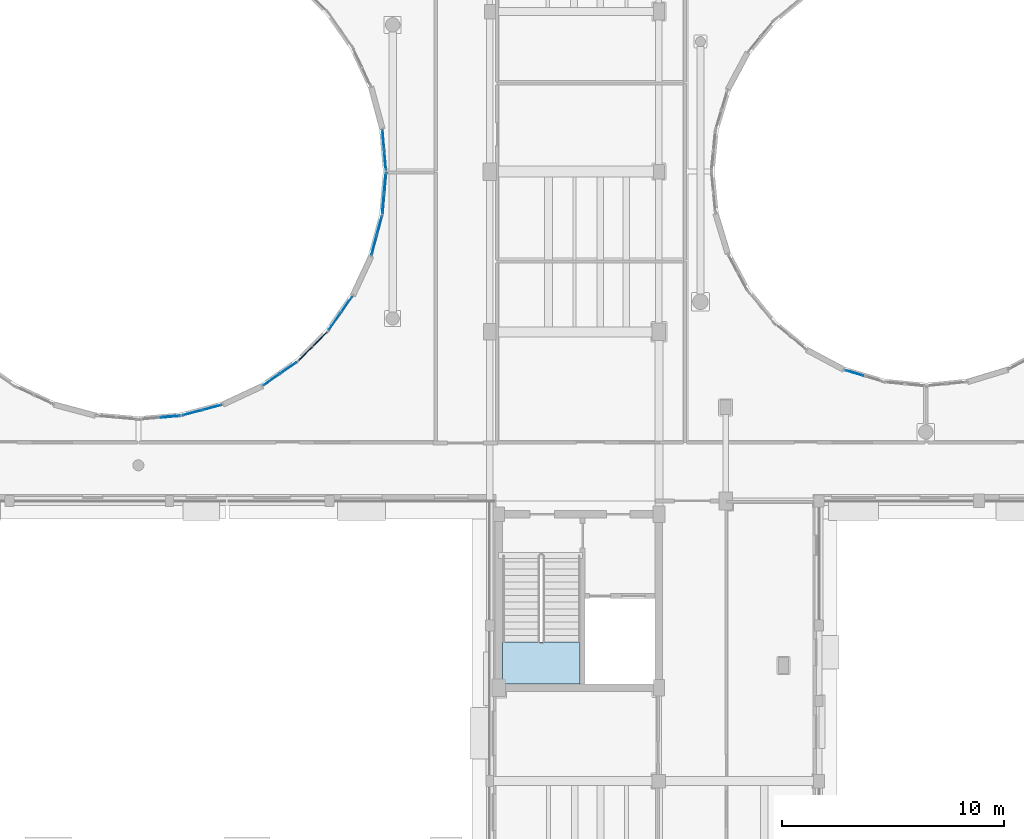
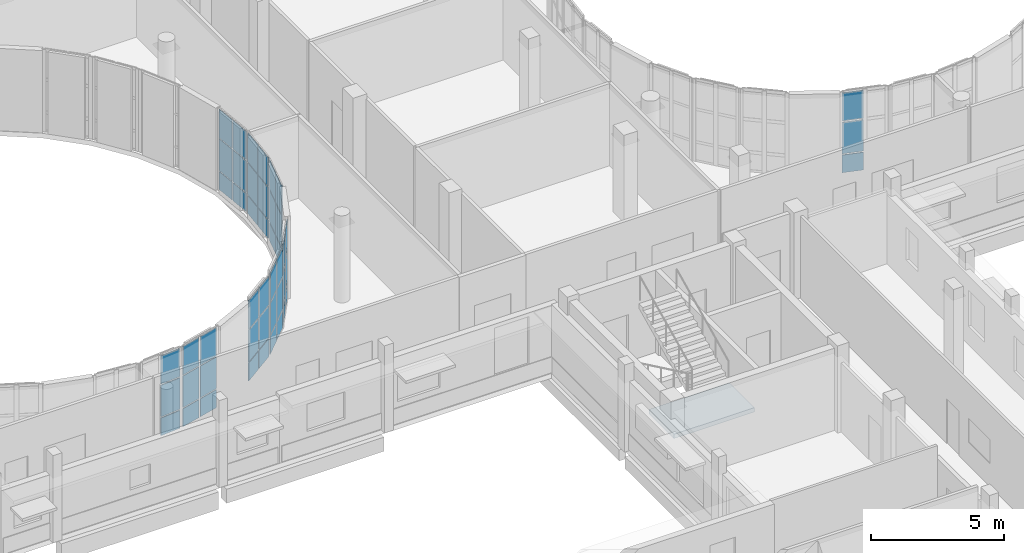
# One storey, part 65 of 105: 48 plates, 1 slab, 10 elements without a shape of their own.
"""IFC4 building model written with IfcOpenShell, lengths in metres."""

from ifc_helpers import new_model, si_unit, direction, frame, origin, origin_2d, place, context, subcontext, project, spatial, polyline, rectangle, outline, extrude, material, layer, layer_set, type_object, element, aggregate, save


model = new_model("IFC4")

# Units and contexts
model_context = context("Model", 3, precision=1e-05, world=origin(), true_north=direction((0.0, 1.0)))
body_context = subcontext(model_context, "Body", "Model", "MODEL_VIEW")
ifc_project = project(units=[si_unit("LENGTHUNIT", "METRE"), si_unit("AREAUNIT", "SQUARE_METRE"), si_unit("VOLUMEUNIT", "CUBIC_METRE"), si_unit("PLANEANGLEUNIT", "RADIAN"), si_unit("MASSUNIT", "GRAM", prefix="KILO")], contexts=[model_context])

# Site, building, storey
site_placement = place(None, origin())
site = spatial("IfcSite", under=ifc_project, at=site_placement, CompositionType="ELEMENT")
building_placement = place(site_placement, origin())
building = spatial("IfcBuilding", under=site, at=building_placement, Name="Kelanivale Promenade Academy", CompositionType="ELEMENT")
storey_placement = place(building_placement, frame((0.0, 0.0, 4.199951171875)))
storey = spatial("IfcBuildingStorey", under=building, at=storey_placement, Name="L01", CompositionType="ELEMENT", Elevation=4.199951171875)

# Curtain wall, plates
ifc_material_1 = material(Name="Bronze anodised aluminium and solar-control low-E glass", Category="aluminium")
ifc_layer_1 = layer(ifc_material_1, 0.169921875)
ifc_layer_set_1 = layer_set([ifc_layer_1], Name="Bronze anodised aluminium and solar-control low-E glass")
curtain_wall_type_1 = type_object("IfcCurtainWallType", Name="CW-01 Curtain Wall 1350mm Module", PredefinedType="USERDEFINED", material=ifc_layer_set_1)
curtain_wall_1_placement = place(storey_placement, origin())
curtain_wall_1 = element("IfcCurtainWall", 1, at=curtain_wall_1_placement, inside=storey, type_object=curtain_wall_type_1, Name="L01 courtyard curtain wall CW-01", ObjectType="UNITISED GLAZING", PredefinedType="USERDEFINED")
ifc_material_2 = material(Name="Solar-control double glazing 28 mm", Category="glass")
ifc_layer_2 = layer(ifc_material_2, 0.028076171875)
ifc_layer_set_2 = layer_set([ifc_layer_2], Name="Solar-control double glazing 28 mm")
plate_type_1 = type_object("IfcPlateType", Name="CWP-01 Plate 28mm", PredefinedType="CURTAIN_PANEL", material=ifc_layer_set_2)
plate_1_placement = place(storey_placement, frame((65.820068359375, 45.958984375, 0.05029296875), z_axis=(0.0, 0.0, 1.0), x_axis=(0.965990259056, 0.258578458902, 0.0)))
plate_1 = element("IfcPlate", 2, at=plate_1_placement, type_object=plate_type_1, Name="CW-01 panel 1.1", PredefinedType="CURTAIN_PANEL", context=body_context, shape_type="SweptSolid", body=[
    extrude(rectangle(XDim=0.861328125, YDim=0.028076171875, at=origin_2d()), origin(), (0.0, 0.0, 1.0), 0.824951171875),
])
plate_2_placement = place(storey_placement, frame((65.820068359375, 45.958984375, 0.92529296875), z_axis=(0.0, 0.0, 1.0), x_axis=(0.965990259056, 0.258578458902, 0.0)))
plate_2 = element("IfcPlate", 3, at=plate_2_placement, type_object=plate_type_1, Name="CW-01 panel 1.2", PredefinedType="CURTAIN_PANEL", context=body_context, shape_type="SweptSolid", body=[
    extrude(rectangle(XDim=0.861328125, YDim=0.028076171875, at=origin_2d()), origin(), (0.0, 0.0, 1.0), 1.449951171875),
])
plate_3_placement = place(storey_placement, frame((65.820068359375, 45.958984375, 2.42529296875), z_axis=(0.0, 0.0, 1.0), x_axis=(0.965990259056, 0.258578458902, 0.0)))
plate_3 = element("IfcPlate", 4, at=plate_3_placement, type_object=plate_type_1, Name="CW-01 panel 1.3", PredefinedType="CURTAIN_PANEL", context=body_context, shape_type="SweptSolid", body=[
    extrude(rectangle(XDim=0.861328125, YDim=0.028076171875, at=origin_2d()), origin(), (0.0, 0.0, 1.0), 1.304931640625),
])
plate_4_placement = place(storey_placement, frame((66.7099609375, 46.197021484375, 0.05029296875), z_axis=(0.0, 0.0, 1.0), x_axis=(0.965990259056, 0.258578458902, 0.0)))
plate_4 = element("IfcPlate", 5, at=plate_4_placement, type_object=plate_type_1, Name="CW-01 panel 2.1", PredefinedType="CURTAIN_PANEL", context=body_context, shape_type="SweptSolid", body=[
    extrude(rectangle(XDim=0.861328125, YDim=0.028076171875, at=origin_2d()), origin(), (0.0, 0.0, 1.0), 0.824951171875),
])
plate_5_placement = place(storey_placement, frame((66.7099609375, 46.197021484375, 0.92529296875), z_axis=(0.0, 0.0, 1.0), x_axis=(0.965990259056, 0.258578458902, 0.0)))
plate_5 = element("IfcPlate", 6, at=plate_5_placement, type_object=plate_type_1, Name="CW-01 panel 2.2", PredefinedType="CURTAIN_PANEL", context=body_context, shape_type="SweptSolid", body=[
    extrude(rectangle(XDim=0.861328125, YDim=0.028076171875, at=origin_2d()), origin(), (0.0, 0.0, 1.0), 1.449951171875),
])
plate_6_placement = place(storey_placement, frame((66.7099609375, 46.197021484375, 2.42529296875), z_axis=(0.0, 0.0, 1.0), x_axis=(0.965990259056, 0.258578458902, 0.0)))
plate_6 = element("IfcPlate", 7, at=plate_6_placement, type_object=plate_type_1, Name="CW-01 panel 2.3", PredefinedType="CURTAIN_PANEL", context=body_context, shape_type="SweptSolid", body=[
    extrude(rectangle(XDim=0.861328125, YDim=0.028076171875, at=origin_2d()), origin(), (0.0, 0.0, 1.0), 1.304931640625),
])
aggregate(curtain_wall_1, [plate_1, plate_2, plate_3, plate_4, plate_5, plate_6])

ifc_layer_3 = layer(ifc_material_1, 0.169921875)
ifc_layer_set_3 = layer_set([ifc_layer_3], Name="Bronze anodised aluminium and solar-control low-E glass")
curtain_wall_type_2 = type_object("IfcCurtainWallType", Name="CW-04 Curtain Wall 1800mm Module", PredefinedType="USERDEFINED", material=ifc_layer_set_3)
curtain_wall_2_placement = place(storey_placement, origin())
curtain_wall_2 = element("IfcCurtainWall", 8, at=curtain_wall_2_placement, inside=storey, type_object=curtain_wall_type_2, Name="L01 courtyard curtain wall CW-04", ObjectType="UNITISED GLAZING", PredefinedType="USERDEFINED")
plate_7_placement = place(storey_placement, frame((72.22314453125, 50.052001953125, 0.06005859375), z_axis=(0.0, 0.0, 1.0), x_axis=(0.573356527561, 0.819305982099, 0.0)))
plate_7 = element("IfcPlate", 9, at=plate_7_placement, type_object=plate_type_1, Name="CW-04 panel 1.1", PredefinedType="CURTAIN_PANEL", context=body_context, shape_type="SweptSolid", body=[
    extrude(rectangle(XDim=0.85400390625, YDim=0.028076171875, at=origin_2d()), origin(), (0.0, 0.0, 1.0), 0.81005859375),
])
plate_8_placement = place(storey_placement, frame((72.22314453125, 50.052001953125, 0.93017578125), z_axis=(0.0, 0.0, 1.0), x_axis=(0.573356527561, 0.819305982099, 0.0)))
plate_8 = element("IfcPlate", 10, at=plate_8_placement, type_object=plate_type_1, Name="CW-04 panel 1.2", PredefinedType="CURTAIN_PANEL", context=body_context, shape_type="SweptSolid", body=[
    extrude(rectangle(XDim=0.85400390625, YDim=0.028076171875, at=origin_2d()), origin(), (0.0, 0.0, 1.0), 1.43994140625),
])
plate_9_placement = place(storey_placement, frame((72.22314453125, 50.052001953125, 2.429931640625), z_axis=(0.0, 0.0, 1.0), x_axis=(0.573356527561, 0.819305982099, 0.0)))
plate_9 = element("IfcPlate", 11, at=plate_9_placement, type_object=plate_type_1, Name="CW-04 panel 1.3", PredefinedType="CURTAIN_PANEL", context=body_context, shape_type="SweptSolid", body=[
    extrude(rectangle(XDim=0.85400390625, YDim=0.028076171875, at=origin_2d()), origin(), (0.0, 0.0, 1.0), 1.2900390625),
])
plate_10_placement = place(storey_placement, frame((72.75, 50.804931640625, 0.06005859375), z_axis=(0.0, 0.0, 1.0), x_axis=(0.573356527561, 0.819305982099, 0.0)))
plate_10 = element("IfcPlate", 12, at=plate_10_placement, type_object=plate_type_1, Name="CW-04 panel 2.1", PredefinedType="CURTAIN_PANEL", context=body_context, shape_type="SweptSolid", body=[
    extrude(rectangle(XDim=0.85400390625, YDim=0.028076171875, at=origin_2d()), origin(), (0.0, 0.0, 1.0), 0.81005859375),
])
plate_11_placement = place(storey_placement, frame((72.75, 50.804931640625, 0.93017578125), z_axis=(0.0, 0.0, 1.0), x_axis=(0.573356527561, 0.819305982099, 0.0)))
plate_11 = element("IfcPlate", 13, at=plate_11_placement, type_object=plate_type_1, Name="CW-04 panel 2.2", PredefinedType="CURTAIN_PANEL", context=body_context, shape_type="SweptSolid", body=[
    extrude(rectangle(XDim=0.85400390625, YDim=0.028076171875, at=origin_2d()), origin(), (0.0, 0.0, 1.0), 1.43994140625),
])
plate_12_placement = place(storey_placement, frame((72.75, 50.804931640625, 2.429931640625), z_axis=(0.0, 0.0, 1.0), x_axis=(0.573356527561, 0.819305982099, 0.0)))
plate_12 = element("IfcPlate", 14, at=plate_12_placement, type_object=plate_type_1, Name="CW-04 panel 2.3", PredefinedType="CURTAIN_PANEL", context=body_context, shape_type="SweptSolid", body=[
    extrude(rectangle(XDim=0.85400390625, YDim=0.028076171875, at=origin_2d()), origin(), (0.0, 0.0, 1.0), 1.2900390625),
])
aggregate(curtain_wall_2, [plate_7, plate_8, plate_9, plate_10, plate_11, plate_12])

ifc_layer_4 = layer(ifc_material_1, 0.169921875)
ifc_layer_set_4 = layer_set([ifc_layer_4], Name="Bronze anodised aluminium and solar-control low-E glass")
curtain_wall_type_3 = type_object("IfcCurtainWallType", Name="CW-07 Curtain Wall 1350mm Module", PredefinedType="USERDEFINED", material=ifc_layer_set_4)
curtain_wall_3_placement = place(storey_placement, origin())
curtain_wall_3 = element("IfcCurtainWall", 15, at=curtain_wall_3_placement, inside=storey, type_object=curtain_wall_type_3, Name="L01 courtyard curtain wall CW-07", ObjectType="UNITISED GLAZING", PredefinedType="USERDEFINED")
plate_13_placement = place(storey_placement, frame((74.49609375, 57.302001953125, 0.05029296875), z_axis=(0.0, 0.0, 1.0), x_axis=(-0.087264768066, 0.996185153601, 0.0)))
plate_13 = element("IfcPlate", 16, at=plate_13_placement, type_object=plate_type_1, Name="CW-07 panel 1.1", PredefinedType="CURTAIN_PANEL", context=body_context, shape_type="SweptSolid", body=[
    extrude(rectangle(XDim=0.853515625, YDim=0.028076171875, at=origin_2d()), origin(), (0.0, 0.0, 1.0), 0.824951171875),
])
plate_14_placement = place(storey_placement, frame((74.49609375, 57.302001953125, 0.92529296875), z_axis=(0.0, 0.0, 1.0), x_axis=(-0.087264768066, 0.996185153601, 0.0)))
plate_14 = element("IfcPlate", 17, at=plate_14_placement, type_object=plate_type_1, Name="CW-07 panel 1.2", PredefinedType="CURTAIN_PANEL", context=body_context, shape_type="SweptSolid", body=[
    extrude(rectangle(XDim=0.853515625, YDim=0.028076171875, at=origin_2d()), origin(), (0.0, 0.0, 1.0), 1.449951171875),
])
plate_15_placement = place(storey_placement, frame((74.49609375, 57.302001953125, 2.42529296875), z_axis=(0.0, 0.0, 1.0), x_axis=(-0.087264768066, 0.996185153601, 0.0)))
plate_15 = element("IfcPlate", 18, at=plate_15_placement, type_object=plate_type_1, Name="CW-07 panel 1.3", PredefinedType="CURTAIN_PANEL", context=body_context, shape_type="SweptSolid", body=[
    extrude(rectangle(XDim=0.853515625, YDim=0.028076171875, at=origin_2d()), origin(), (0.0, 0.0, 1.0), 1.304931640625),
])
plate_16_placement = place(storey_placement, frame((74.416015625, 58.217041015625, 0.05029296875), z_axis=(0.0, 0.0, 1.0), x_axis=(-0.087264768066, 0.996185153601, 0.0)))
plate_16 = element("IfcPlate", 19, at=plate_16_placement, type_object=plate_type_1, Name="CW-07 panel 2.1", PredefinedType="CURTAIN_PANEL", context=body_context, shape_type="SweptSolid", body=[
    extrude(rectangle(XDim=0.853515625, YDim=0.028076171875, at=origin_2d()), origin(), (0.0, 0.0, 1.0), 0.824951171875),
])
plate_17_placement = place(storey_placement, frame((74.416015625, 58.217041015625, 0.92529296875), z_axis=(0.0, 0.0, 1.0), x_axis=(-0.087264768066, 0.996185153601, 0.0)))
plate_17 = element("IfcPlate", 20, at=plate_17_placement, type_object=plate_type_1, Name="CW-07 panel 2.2", PredefinedType="CURTAIN_PANEL", context=body_context, shape_type="SweptSolid", body=[
    extrude(rectangle(XDim=0.853515625, YDim=0.028076171875, at=origin_2d()), origin(), (0.0, 0.0, 1.0), 1.449951171875),
])
plate_18_placement = place(storey_placement, frame((74.416015625, 58.217041015625, 2.42529296875), z_axis=(0.0, 0.0, 1.0), x_axis=(-0.087264768066, 0.996185153601, 0.0)))
plate_18 = element("IfcPlate", 21, at=plate_18_placement, type_object=plate_type_1, Name="CW-07 panel 2.3", PredefinedType="CURTAIN_PANEL", context=body_context, shape_type="SweptSolid", body=[
    extrude(rectangle(XDim=0.853515625, YDim=0.028076171875, at=origin_2d()), origin(), (0.0, 0.0, 1.0), 1.304931640625),
])
aggregate(curtain_wall_3, [plate_13, plate_14, plate_15, plate_16, plate_17, plate_18])

ifc_layer_5 = layer(ifc_material_1, 0.179931640625)
ifc_layer_set_5 = layer_set([ifc_layer_5], Name="Bronze anodised aluminium and solar-control low-E glass")
curtain_wall_type_4 = type_object("IfcCurtainWallType", Name="CW-20 Curtain Wall 1500mm Module", PredefinedType="USERDEFINED", material=ifc_layer_set_5)
curtain_wall_4_placement = place(storey_placement, origin())
curtain_wall_4 = element("IfcCurtainWall", 22, at=curtain_wall_4_placement, inside=storey, type_object=curtain_wall_type_4, Name="L01 courtyard curtain wall CW-20", ObjectType="COURTYARD SCREEN GLAZING", PredefinedType="USERDEFINED")
ifc_material_3 = material(Name="Acoustic laminated double glazing 36 mm", Category="glass")
ifc_layer_6 = layer(ifc_material_3, 0.035888671875)
ifc_layer_set_6 = layer_set([ifc_layer_6], Name="Acoustic laminated double glazing 36 mm")
plate_type_2 = type_object("IfcPlateType", Name="CWP-02 Plate 36mm", PredefinedType="CURTAIN_PANEL", material=ifc_layer_set_6)
plate_19_placement = place(storey_placement, frame((95.595458984375, 47.746337890625, 0.06005859375), z_axis=(0.0, 0.0, 1.0), x_axis=(0.956987977524, -0.290127576893, 0.0)))
plate_19 = element("IfcPlate", 23, at=plate_19_placement, type_object=plate_type_2, Name="CW-20 panel 1.1", PredefinedType="CURTAIN_PANEL", context=body_context, shape_type="SweptSolid", body=[
    extrude(rectangle(XDim=0.826171875, YDim=0.035888671875, at=origin_2d()), origin(), (0.0, 0.0, 1.0), 0.81005859375),
])
plate_20_placement = place(storey_placement, frame((95.595458984375, 47.746337890625, 0.93017578125), z_axis=(0.0, 0.0, 1.0), x_axis=(0.956987977524, -0.290127576893, 0.0)))
plate_20 = element("IfcPlate", 24, at=plate_20_placement, type_object=plate_type_2, Name="CW-20 panel 1.2", PredefinedType="CURTAIN_PANEL", context=body_context, shape_type="SweptSolid", body=[
    extrude(rectangle(XDim=0.826171875, YDim=0.035888671875, at=origin_2d()), origin(), (0.0, 0.0, 1.0), 1.43994140625),
])
plate_21_placement = place(storey_placement, frame((95.595458984375, 47.746337890625, 2.429931640625), z_axis=(0.0, 0.0, 1.0), x_axis=(0.956987977524, -0.290127576893, 0.0)))
plate_21 = element("IfcPlate", 25, at=plate_21_placement, type_object=plate_type_2, Name="CW-20 panel 1.3", PredefinedType="CURTAIN_PANEL", context=body_context, shape_type="SweptSolid", body=[
    extrude(rectangle(XDim=0.826171875, YDim=0.035888671875, at=origin_2d()), origin(), (0.0, 0.0, 1.0), 1.2900390625),
])
aggregate(curtain_wall_4, [plate_19, plate_20, plate_21])

ifc_layer_7 = layer(ifc_material_1, 0.179931640625)
ifc_layer_set_7 = layer_set([ifc_layer_7], Name="Bronze anodised aluminium and solar-control low-E glass")
curtain_wall_type_5 = type_object("IfcCurtainWallType", Name="CW-02 Curtain Wall 1500mm Module", PredefinedType="USERDEFINED", material=ifc_layer_set_7)
curtain_wall_5_placement = place(storey_placement, origin())
curtain_wall_5 = element("IfcCurtainWall", 26, at=curtain_wall_5_placement, inside=storey, type_object=curtain_wall_type_5, Name="L01 courtyard curtain wall CW-02", ObjectType="UNITISED GLAZING", PredefinedType="USERDEFINED")
plate_22_placement = place(storey_placement, frame((69.39404296875, 47.449462890625, 0.05029296875), z_axis=(0.0, 0.0, 1.0), x_axis=(0.819305982099, 0.573356527561, 0.0)))
plate_22 = element("IfcPlate", 27, at=plate_22_placement, type_object=plate_type_2, Name="CW-02 panel 1.1", PredefinedType="CURTAIN_PANEL", context=body_context, shape_type="SweptSolid", body=[
    extrude(rectangle(XDim=0.861328125, YDim=0.035888671875, at=origin_2d()), origin(), (0.0, 0.0, 1.0), 0.824951171875),
])
plate_23_placement = place(storey_placement, frame((69.39404296875, 47.449462890625, 0.92529296875), z_axis=(0.0, 0.0, 1.0), x_axis=(0.819305982099, 0.573356527561, 0.0)))
plate_23 = element("IfcPlate", 28, at=plate_23_placement, type_object=plate_type_2, Name="CW-02 panel 1.2", PredefinedType="CURTAIN_PANEL", context=body_context, shape_type="SweptSolid", body=[
    extrude(rectangle(XDim=0.861328125, YDim=0.035888671875, at=origin_2d()), origin(), (0.0, 0.0, 1.0), 1.449951171875),
])
plate_24_placement = place(storey_placement, frame((69.39404296875, 47.449462890625, 2.42529296875), z_axis=(0.0, 0.0, 1.0), x_axis=(0.819305982099, 0.573356527561, 0.0)))
plate_24 = element("IfcPlate", 29, at=plate_24_placement, type_object=plate_type_2, Name="CW-02 panel 1.3", PredefinedType="CURTAIN_PANEL", context=body_context, shape_type="SweptSolid", body=[
    extrude(rectangle(XDim=0.861328125, YDim=0.035888671875, at=origin_2d()), origin(), (0.0, 0.0, 1.0), 1.304931640625),
])
plate_25_placement = place(storey_placement, frame((70.14892578125, 47.9775390625, 0.05029296875), z_axis=(0.0, 0.0, 1.0), x_axis=(0.819305982099, 0.573356527561, 0.0)))
plate_25 = element("IfcPlate", 30, at=plate_25_placement, type_object=plate_type_2, Name="CW-02 panel 2.1", PredefinedType="CURTAIN_PANEL", context=body_context, shape_type="SweptSolid", body=[
    extrude(rectangle(XDim=0.861328125, YDim=0.035888671875, at=origin_2d()), origin(), (0.0, 0.0, 1.0), 0.824951171875),
])
plate_26_placement = place(storey_placement, frame((70.14892578125, 47.9775390625, 0.92529296875), z_axis=(0.0, 0.0, 1.0), x_axis=(0.819305982099, 0.573356527561, 0.0)))
plate_26 = element("IfcPlate", 31, at=plate_26_placement, type_object=plate_type_2, Name="CW-02 panel 2.2", PredefinedType="CURTAIN_PANEL", context=body_context, shape_type="SweptSolid", body=[
    extrude(rectangle(XDim=0.861328125, YDim=0.035888671875, at=origin_2d()), origin(), (0.0, 0.0, 1.0), 1.449951171875),
])
plate_27_placement = place(storey_placement, frame((70.14892578125, 47.9775390625, 2.42529296875), z_axis=(0.0, 0.0, 1.0), x_axis=(0.819305982099, 0.573356527561, 0.0)))
plate_27 = element("IfcPlate", 32, at=plate_27_placement, type_object=plate_type_2, Name="CW-02 panel 2.3", PredefinedType="CURTAIN_PANEL", context=body_context, shape_type="SweptSolid", body=[
    extrude(rectangle(XDim=0.861328125, YDim=0.035888671875, at=origin_2d()), origin(), (0.0, 0.0, 1.0), 1.304931640625),
])
aggregate(curtain_wall_5, [plate_22, plate_23, plate_24, plate_25, plate_26, plate_27])

ifc_layer_8 = layer(ifc_material_1, 0.179931640625)
ifc_layer_set_8 = layer_set([ifc_layer_8], Name="Bronze anodised aluminium and solar-control low-E glass")
curtain_wall_type_6 = type_object("IfcCurtainWallType", Name="CW-05 Curtain Wall 1950mm Module", PredefinedType="USERDEFINED", material=ifc_layer_set_8)
curtain_wall_6_placement = place(storey_placement, origin())
curtain_wall_6 = element("IfcCurtainWall", 33, at=curtain_wall_6_placement, inside=storey, type_object=curtain_wall_type_6, Name="L01 courtyard curtain wall CW-05", ObjectType="UNITISED GLAZING", PredefinedType="USERDEFINED")
plate_28_placement = place(storey_placement, frame((74.0029296875, 53.489990234375, 0.05029296875), z_axis=(0.0, 0.0, 1.0), x_axis=(0.258578458902, 0.965990259056, 0.0)))
plate_28 = element("IfcPlate", 34, at=plate_28_placement, type_object=plate_type_2, Name="CW-05 panel 1.1", PredefinedType="CURTAIN_PANEL", context=body_context, shape_type="SweptSolid", body=[
    extrude(rectangle(XDim=0.861328125, YDim=0.035888671875, at=origin_2d()), origin(), (0.0, 0.0, 1.0), 0.824951171875),
])
plate_29_placement = place(storey_placement, frame((74.0029296875, 53.489990234375, 0.92529296875), z_axis=(0.0, 0.0, 1.0), x_axis=(0.258578458902, 0.965990259056, 0.0)))
plate_29 = element("IfcPlate", 35, at=plate_29_placement, type_object=plate_type_2, Name="CW-05 panel 1.2", PredefinedType="CURTAIN_PANEL", context=body_context, shape_type="SweptSolid", body=[
    extrude(rectangle(XDim=0.861328125, YDim=0.035888671875, at=origin_2d()), origin(), (0.0, 0.0, 1.0), 1.449951171875),
])
plate_30_placement = place(storey_placement, frame((74.0029296875, 53.489990234375, 2.42529296875), z_axis=(0.0, 0.0, 1.0), x_axis=(0.258578458902, 0.965990259056, 0.0)))
plate_30 = element("IfcPlate", 36, at=plate_30_placement, type_object=plate_type_2, Name="CW-05 panel 1.3", PredefinedType="CURTAIN_PANEL", context=body_context, shape_type="SweptSolid", body=[
    extrude(rectangle(XDim=0.861328125, YDim=0.035888671875, at=origin_2d()), origin(), (0.0, 0.0, 1.0), 1.304931640625),
])
plate_31_placement = place(storey_placement, frame((74.2412109375, 54.380126953125, 0.05029296875), z_axis=(0.0, 0.0, 1.0), x_axis=(0.258578458902, 0.965990259056, 0.0)))
plate_31 = element("IfcPlate", 37, at=plate_31_placement, type_object=plate_type_2, Name="CW-05 panel 2.1", PredefinedType="CURTAIN_PANEL", context=body_context, shape_type="SweptSolid", body=[
    extrude(rectangle(XDim=0.861328125, YDim=0.035888671875, at=origin_2d()), origin(), (0.0, 0.0, 1.0), 0.824951171875),
])
plate_32_placement = place(storey_placement, frame((74.2412109375, 54.380126953125, 0.92529296875), z_axis=(0.0, 0.0, 1.0), x_axis=(0.258578458902, 0.965990259056, 0.0)))
plate_32 = element("IfcPlate", 38, at=plate_32_placement, type_object=plate_type_2, Name="CW-05 panel 2.2", PredefinedType="CURTAIN_PANEL", context=body_context, shape_type="SweptSolid", body=[
    extrude(rectangle(XDim=0.861328125, YDim=0.035888671875, at=origin_2d()), origin(), (0.0, 0.0, 1.0), 1.449951171875),
])
plate_33_placement = place(storey_placement, frame((74.2412109375, 54.380126953125, 2.42529296875), z_axis=(0.0, 0.0, 1.0), x_axis=(0.258578458902, 0.965990259056, 0.0)))
plate_33 = element("IfcPlate", 39, at=plate_33_placement, type_object=plate_type_2, Name="CW-05 panel 2.3", PredefinedType="CURTAIN_PANEL", context=body_context, shape_type="SweptSolid", body=[
    extrude(rectangle(XDim=0.861328125, YDim=0.035888671875, at=origin_2d()), origin(), (0.0, 0.0, 1.0), 1.304931640625),
])
aggregate(curtain_wall_6, [plate_28, plate_29, plate_30, plate_31, plate_32, plate_33])

ifc_layer_9 = layer(ifc_material_1, 0.159912109375)
ifc_layer_set_9 = layer_set([ifc_layer_9], Name="Bronze anodised aluminium and solar-control low-E glass")
curtain_wall_type_7 = type_object("IfcCurtainWallType", Name="CW-24 Curtain Wall 1200mm Module", PredefinedType="USERDEFINED", material=ifc_layer_set_9)
curtain_wall_7_placement = place(storey_placement, origin())
curtain_wall_7 = element("IfcCurtainWall", 40, at=curtain_wall_7_placement, inside=storey, type_object=curtain_wall_type_7, Name="L01 courtyard curtain wall CW-24", ObjectType="COURTYARD SCREEN GLAZING", PredefinedType="USERDEFINED")
ifc_material_4 = material(Name="Insulated bronze aluminium spandrel panel 44 mm", Category="aluminium")
ifc_layer_10 = layer(ifc_material_4, 0.0439453125)
ifc_layer_set_10 = layer_set([ifc_layer_10], Name="Insulated bronze aluminium spandrel panel 44 mm")
plate_type_3 = type_object("IfcPlateType", Name="CWP-03 Plate 44mm", PredefinedType="CURTAIN_PANEL", material=ifc_layer_set_10)
plate_34_placement = place(storey_placement, frame((64.828369140625, 45.784912109375, 0.06005859375), z_axis=(0.0, 0.0, 1.0), x_axis=(0.996199376727, 0.087102249164, 0.0)))
plate_34 = element("IfcPlate", 41, at=plate_34_placement, type_object=plate_type_3, Name="CW-24 panel 2.1", PredefinedType="CURTAIN_PANEL", context=body_context, shape_type="SweptSolid", body=[
    extrude(rectangle(XDim=0.861083984375, YDim=0.0439453125, at=origin_2d()), origin(), (0.0, 0.0, 1.0), 0.81005859375),
])
plate_35_placement = place(storey_placement, frame((64.828369140625, 45.784912109375, 0.93017578125), z_axis=(0.0, 0.0, 1.0), x_axis=(0.996199376727, 0.087102249164, 0.0)))
plate_35 = element("IfcPlate", 42, at=plate_35_placement, type_object=plate_type_3, Name="CW-24 panel 2.2", PredefinedType="CURTAIN_PANEL", context=body_context, shape_type="SweptSolid", body=[
    extrude(rectangle(XDim=0.861083984375, YDim=0.0439453125, at=origin_2d()), origin(), (0.0, 0.0, 1.0), 1.43994140625),
])
plate_36_placement = place(storey_placement, frame((64.828369140625, 45.784912109375, 2.429931640625), z_axis=(0.0, 0.0, 1.0), x_axis=(0.996199376727, 0.087102249164, 0.0)))
plate_36 = element("IfcPlate", 43, at=plate_36_placement, type_object=plate_type_3, Name="CW-24 panel 2.3", PredefinedType="CURTAIN_PANEL", context=body_context, shape_type="SweptSolid", body=[
    extrude(rectangle(XDim=0.861083984375, YDim=0.0439453125, at=origin_2d()), origin(), (0.0, 0.0, 1.0), 1.2900390625),
])
aggregate(curtain_wall_7, [plate_34, plate_35, plate_36])

ifc_layer_11 = layer(ifc_material_1, 0.159912109375)
ifc_layer_set_11 = layer_set([ifc_layer_11], Name="Bronze anodised aluminium and solar-control low-E glass")
curtain_wall_type_8 = type_object("IfcCurtainWallType", Name="CW-03 Curtain Wall 1650mm Module", PredefinedType="USERDEFINED", material=ifc_layer_set_11)
curtain_wall_8_placement = place(storey_placement, origin())
curtain_wall_8 = element("IfcCurtainWall", 44, at=curtain_wall_8_placement, inside=storey, type_object=curtain_wall_type_8, Name="L01 courtyard curtain wall CW-03", ObjectType="UNITISED GLAZING", PredefinedType="USERDEFINED")
plate_37_placement = place(storey_placement, frame((70.920166015625, 48.625244140625, 0.05029296875), z_axis=(0.0, 0.0, 1.0), x_axis=(0.707106781187, 0.707106781187, 0.0)))
plate_37 = element("IfcPlate", 45, at=plate_37_placement, type_object=plate_type_3, Name="CW-03 panel 1.1", PredefinedType="CURTAIN_PANEL", context=body_context, shape_type="SweptSolid", body=[
    extrude(rectangle(XDim=0.860595703125, YDim=0.0439453125, at=origin_2d()), origin(), (0.0, 0.0, 1.0), 0.824951171875),
])
plate_38_placement = place(storey_placement, frame((70.920166015625, 48.625244140625, 0.92529296875), z_axis=(0.0, 0.0, 1.0), x_axis=(0.707106781187, 0.707106781187, 0.0)))
plate_38 = element("IfcPlate", 46, at=plate_38_placement, type_object=plate_type_3, Name="CW-03 panel 1.2", PredefinedType="CURTAIN_PANEL", context=body_context, shape_type="SweptSolid", body=[
    extrude(rectangle(XDim=0.860595703125, YDim=0.0439453125, at=origin_2d()), origin(), (0.0, 0.0, 1.0), 1.449951171875),
])
plate_39_placement = place(storey_placement, frame((70.920166015625, 48.625244140625, 2.42529296875), z_axis=(0.0, 0.0, 1.0), x_axis=(0.707106781187, 0.707106781187, 0.0)))
plate_39 = element("IfcPlate", 47, at=plate_39_placement, type_object=plate_type_3, Name="CW-03 panel 1.3", PredefinedType="CURTAIN_PANEL", context=body_context, shape_type="SweptSolid", body=[
    extrude(rectangle(XDim=0.860595703125, YDim=0.0439453125, at=origin_2d()), origin(), (0.0, 0.0, 1.0), 1.304931640625),
])
plate_40_placement = place(storey_placement, frame((71.57470703125, 49.27978515625, 0.05029296875), z_axis=(0.0, 0.0, 1.0), x_axis=(0.707106781187, 0.707106781187, 0.0)))
plate_40 = element("IfcPlate", 48, at=plate_40_placement, type_object=plate_type_3, Name="CW-03 panel 2.1", PredefinedType="CURTAIN_PANEL", context=body_context, shape_type="SweptSolid", body=[
    extrude(rectangle(XDim=0.860595703125, YDim=0.0439453125, at=origin_2d()), origin(), (0.0, 0.0, 1.0), 0.824951171875),
])
plate_41_placement = place(storey_placement, frame((71.57470703125, 49.27978515625, 0.92529296875), z_axis=(0.0, 0.0, 1.0), x_axis=(0.707106781187, 0.707106781187, 0.0)))
plate_41 = element("IfcPlate", 49, at=plate_41_placement, type_object=plate_type_3, Name="CW-03 panel 2.2", PredefinedType="CURTAIN_PANEL", context=body_context, shape_type="SweptSolid", body=[
    extrude(rectangle(XDim=0.860595703125, YDim=0.0439453125, at=origin_2d()), origin(), (0.0, 0.0, 1.0), 1.449951171875),
])
plate_42_placement = place(storey_placement, frame((71.57470703125, 49.27978515625, 2.42529296875), z_axis=(0.0, 0.0, 1.0), x_axis=(0.707106781187, 0.707106781187, 0.0)))
plate_42 = element("IfcPlate", 50, at=plate_42_placement, type_object=plate_type_3, Name="CW-03 panel 2.3", PredefinedType="CURTAIN_PANEL", context=body_context, shape_type="SweptSolid", body=[
    extrude(rectangle(XDim=0.860595703125, YDim=0.0439453125, at=origin_2d()), origin(), (0.0, 0.0, 1.0), 1.304931640625),
])
aggregate(curtain_wall_8, [plate_37, plate_38, plate_39, plate_40, plate_41, plate_42])

ifc_layer_12 = layer(ifc_material_1, 0.159912109375)
ifc_layer_set_12 = layer_set([ifc_layer_12], Name="Bronze anodised aluminium and solar-control low-E glass")
curtain_wall_type_9 = type_object("IfcCurtainWallType", Name="CW-06 Curtain Wall 1200mm Module", PredefinedType="USERDEFINED", material=ifc_layer_set_12)
curtain_wall_9_placement = place(storey_placement, origin())
curtain_wall_9 = element("IfcCurtainWall", 51, at=curtain_wall_9_placement, inside=storey, type_object=curtain_wall_type_9, Name="L01 courtyard curtain wall CW-06", ObjectType="UNITISED GLAZING", PredefinedType="USERDEFINED")
plate_43_placement = place(storey_placement, frame((74.4150390625, 55.370361328125, 0.05029296875), z_axis=(0.0, 0.0, 1.0), x_axis=(0.087102249164, 0.996199376727, 0.0)))
plate_43 = element("IfcPlate", 52, at=plate_43_placement, type_object=plate_type_3, Name="CW-06 panel 1.1", PredefinedType="CURTAIN_PANEL", context=body_context, shape_type="SweptSolid", body=[
    extrude(rectangle(XDim=0.86865234375, YDim=0.0439453125, at=origin_2d()), origin(), (0.0, 0.0, 1.0), 0.824951171875),
])
plate_44_placement = place(storey_placement, frame((74.4150390625, 55.370361328125, 0.92529296875), z_axis=(0.0, 0.0, 1.0), x_axis=(0.087102249164, 0.996199376727, 0.0)))
plate_44 = element("IfcPlate", 53, at=plate_44_placement, type_object=plate_type_3, Name="CW-06 panel 1.2", PredefinedType="CURTAIN_PANEL", context=body_context, shape_type="SweptSolid", body=[
    extrude(rectangle(XDim=0.86865234375, YDim=0.0439453125, at=origin_2d()), origin(), (0.0, 0.0, 1.0), 1.449951171875),
])
plate_45_placement = place(storey_placement, frame((74.4150390625, 55.370361328125, 2.42529296875), z_axis=(0.0, 0.0, 1.0), x_axis=(0.087102249164, 0.996199376727, 0.0)))
plate_45 = element("IfcPlate", 54, at=plate_45_placement, type_object=plate_type_3, Name="CW-06 panel 1.3", PredefinedType="CURTAIN_PANEL", context=body_context, shape_type="SweptSolid", body=[
    extrude(rectangle(XDim=0.86865234375, YDim=0.0439453125, at=origin_2d()), origin(), (0.0, 0.0, 1.0), 1.304931640625),
])
plate_46_placement = place(storey_placement, frame((74.495849609375, 56.295654296875, 0.05029296875), z_axis=(0.0, 0.0, 1.0), x_axis=(0.087102249164, 0.996199376727, 0.0)))
plate_46 = element("IfcPlate", 55, at=plate_46_placement, type_object=plate_type_3, Name="CW-06 panel 2.1", PredefinedType="CURTAIN_PANEL", context=body_context, shape_type="SweptSolid", body=[
    extrude(rectangle(XDim=0.86865234375, YDim=0.0439453125, at=origin_2d()), origin(), (0.0, 0.0, 1.0), 0.824951171875),
])
plate_47_placement = place(storey_placement, frame((74.495849609375, 56.295654296875, 0.92529296875), z_axis=(0.0, 0.0, 1.0), x_axis=(0.087102249164, 0.996199376727, 0.0)))
plate_47 = element("IfcPlate", 56, at=plate_47_placement, type_object=plate_type_3, Name="CW-06 panel 2.2", PredefinedType="CURTAIN_PANEL", context=body_context, shape_type="SweptSolid", body=[
    extrude(rectangle(XDim=0.86865234375, YDim=0.0439453125, at=origin_2d()), origin(), (0.0, 0.0, 1.0), 1.449951171875),
])
plate_48_placement = place(storey_placement, frame((74.495849609375, 56.295654296875, 2.42529296875), z_axis=(0.0, 0.0, 1.0), x_axis=(0.087102249164, 0.996199376727, 0.0)))
plate_48 = element("IfcPlate", 57, at=plate_48_placement, type_object=plate_type_3, Name="CW-06 panel 2.3", PredefinedType="CURTAIN_PANEL", context=body_context, shape_type="SweptSolid", body=[
    extrude(rectangle(XDim=0.86865234375, YDim=0.0439453125, at=origin_2d()), origin(), (0.0, 0.0, 1.0), 1.304931640625),
])
aggregate(curtain_wall_9, [plate_43, plate_44, plate_45, plate_46, plate_47, plate_48])

# Stair, slab
ifc_material_5 = material(Name="Concrete C35/45", Category="concrete")
stair_type = type_object("IfcStairType", Name="ST-T02 Protected dog-leg upper-storey stair", PredefinedType="HALF_TURN_STAIR", material=ifc_material_5)
stair_placement = place(storey_placement, origin())
stair = element("IfcStair", 58, at=stair_placement, inside=storey, type_object=stair_type, Name="L01 ST-01", PredefinedType="HALF_TURN_STAIR")
ifc_layer_13 = layer(ifc_material_5, 0.199951171875)
ifc_layer_set_13 = layer_set([ifc_layer_13], Name="Concrete C35/45")
slab_type = type_object("IfcSlabType", Name="LS-01 Slab 200mm", PredefinedType="LANDING", material=ifc_layer_set_13)
slab_placement = place(storey_placement, frame((0.0, 0.0, 1.800048828125)))
slab = element("IfcSlab", 59, at=slab_placement, type_object=slab_type, Name="ST-01 landing 1", PredefinedType="LANDING", context=body_context, shape_type="SweptSolid", body=[
    extrude(outline(polyline([(79.764892578125, 35.64501953125), (79.764892578125, 33.764892578125), (83.264892578125, 33.764892578125), (83.264892578125, 35.64501953125), (79.764892578125, 35.64501953125)])), origin(), (0.0, 0.0, 1.0), 0.199951171875),
])
aggregate(stair, [slab])

save(model, "model.ifc")
